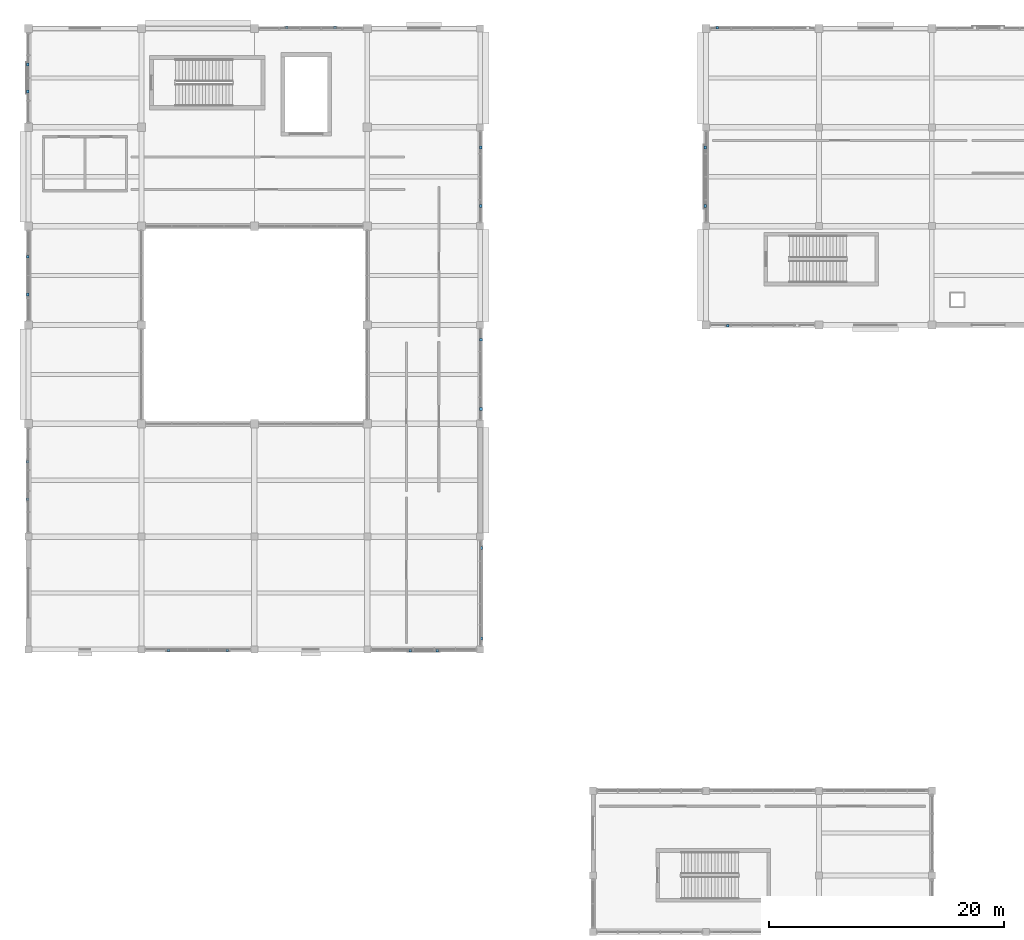
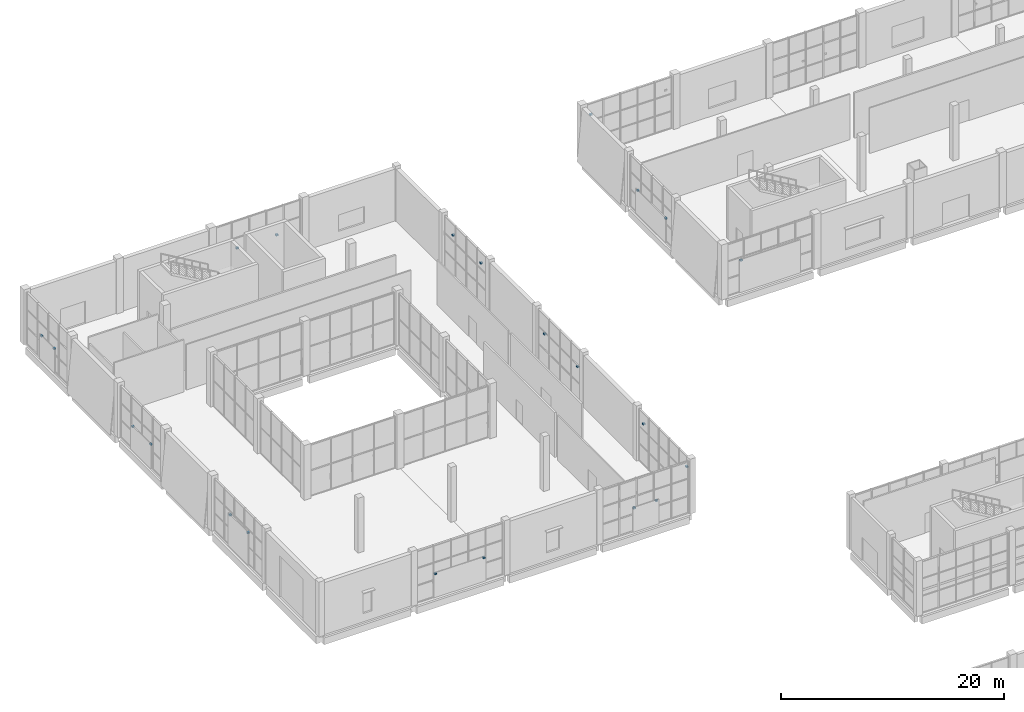
# One storey, part 66 of 84: 22 discrete accessories.
"""IFC4 building model written with IfcOpenShell, lengths in metres."""

import ifcopenshell
import ifcopenshell.guid

model = None  # the IFC model being written
_history = None  # IfcOwnerHistory: only IFC2X3 demands one
_inside = {}  # id of a spatial element -> (the spatial element, [elements in it])
_under = {}  # id of a project, library or spatial element -> (it, [spatial elements below it])
_declared = {}  # id of a project -> (the project, [libraries it declares])
_typed = {}  # id of a type object -> (the type object, [elements of that type])
_made_of = {}  # id of a material, layer set ... -> (it, [elements and type objects made of it])


def new_model(schema):
    """Start an empty IFC model of exactly this schema.

    Asked for "IFC4X3", IfcOpenShell would pick the latest addendum, in which some entities
    have other attributes; the version numbers below select the first issue.
    IFC2X3 requires an IfcOwnerHistory on every rooted entity: one is made here for all.
    """
    global model, _history
    if schema == "IFC4X3":
        model = ifcopenshell.file(schema_version=(4, 3, 0, 0))
    else:
        model = ifcopenshell.file(schema=schema)
    _inside.clear()
    _under.clear()
    _declared.clear()
    _typed.clear()
    _made_of.clear()
    _history = None
    if model.schema == "IFC2X3":
        org = make("IfcOrganization", Name="unknown")
        user = make(
            "IfcPersonAndOrganization",
            ThePerson=make("IfcPerson", FamilyName="unknown"),
            TheOrganization=org,
        )
        app = make(
            "IfcApplication",
            ApplicationDeveloper=org,
            Version="unknown",
            ApplicationFullName="unknown",
            ApplicationIdentifier="unknown",
        )
        _history = make(
            "IfcOwnerHistory",
            OwningUser=user,
            OwningApplication=app,
            ChangeAction="ADDED",
            CreationDate=0,
        )
    return model


def make(cls, **values):
    """One entity of the class cls with the attributes given. An attribute that is None is left unset."""
    return model.create_entity(
        cls, **{name: value for name, value in values.items() if value is not None}
    )


def rooted(cls, **values):
    """An entity with a GlobalId (a new one), such as an element, a storey or a relation."""
    return make(cls, GlobalId=ifcopenshell.guid.new(), OwnerHistory=_history, **values)


def si_unit(unit_type, name, prefix=None):
    """IfcSIUnit, for example si_unit("LENGTHUNIT", "METRE", prefix="MILLI")."""
    return make("IfcSIUnit", UnitType=unit_type, Prefix=prefix, Name=name)


def assignment(units):
    """IfcUnitAssignment: the units of a project."""
    return None if units is None else make("IfcUnitAssignment", Units=units)


def point(xyz):
    """IfcCartesianPoint."""
    return None if xyz is None else make("IfcCartesianPoint", Coordinates=xyz)


def direction(xyz):
    """IfcDirection."""
    return None if xyz is None else make("IfcDirection", DirectionRatios=xyz)


def frame(location, z_axis=None, x_axis=None):
    """IfcAxis2Placement3D, a coordinate frame: its origin and axes. An axis left out is left unset."""
    return make(
        "IfcAxis2Placement3D",
        Location=point(location),
        Axis=direction(z_axis),
        RefDirection=direction(x_axis),
    )


def frame_2d(location, x_axis=None):
    """IfcAxis2Placement2D, a coordinate frame in the plane: its origin and x axis."""
    return make(
        "IfcAxis2Placement2D", Location=point(location), RefDirection=direction(x_axis)
    )


def origin():
    """The frame at (0, 0, 0) with its axes left unset."""
    return frame((0.0, 0.0, 0.0))


def origin_2d():
    """The frame at (0, 0) in the plane with its x axis left unset."""
    return frame_2d((0.0, 0.0))


def place(relative_to, where):
    """IfcLocalPlacement: puts the frame where relative to a parent placement (None: the world)."""
    return make(
        "IfcLocalPlacement", PlacementRelTo=relative_to, RelativePlacement=where
    )


def context(
    kind, dimensions, precision=None, world=None, true_north=None, identifier=None
):
    """IfcGeometricRepresentationContext, for example the 3D "Model" context."""
    return make(
        "IfcGeometricRepresentationContext",
        ContextIdentifier=identifier,
        ContextType=kind,
        CoordinateSpaceDimension=dimensions,
        Precision=precision,
        WorldCoordinateSystem=world,
        TrueNorth=true_north,
    )


def subcontext(parent, identifier, kind, view, scale=None):
    """IfcGeometricRepresentationSubContext, for example "Body" below "Model"."""
    return make(
        "IfcGeometricRepresentationSubContext",
        ContextIdentifier=identifier,
        ContextType=kind,
        ParentContext=parent,
        TargetScale=scale,
        TargetView=view,
    )


def project(units=None, contexts=None):
    """IfcProject with its units and contexts."""
    return rooted(
        "IfcProject",
        Name="project",
        RepresentationContexts=contexts,
        UnitsInContext=assignment(units),
    )


def spatial(cls, under=None, at=None, **own):
    """A site, building, storey or space (cls), placed at a placement, below another one or the project."""
    s = rooted(cls, ObjectPlacement=at, **own)
    if under is not None:
        _under.setdefault(under.id(), (under, []))[1].append(s)
    return s


def profile(cls, at=None, kind="AREA", **sizes):
    """A parametric profile (cls). Its sizes go by their IFC names, for example OverallWidth=200.0."""
    return make(cls, ProfileType=kind, Position=at, **sizes)


def rectangle(**sizes):
    """IfcRectangleProfileDef."""
    return profile("IfcRectangleProfileDef", **sizes)


def extrude(swept, where, along, depth):
    """IfcExtrudedAreaSolid: the profile swept, set in the frame where, extruded along a direction by depth."""
    return make(
        "IfcExtrudedAreaSolid",
        SweptArea=swept,
        Position=where,
        ExtrudedDirection=direction(along),
        Depth=depth,
    )


def shape(context_of_items, identifier, shape_type, items):
    """IfcShapeRepresentation: the items that make up one representation, for example the "Body"."""
    return make(
        "IfcShapeRepresentation",
        ContextOfItems=context_of_items,
        RepresentationIdentifier=identifier,
        RepresentationType=shape_type,
        Items=items,
    )


def material(Name=None, Category=None):
    """IfcMaterial."""
    return make("IfcMaterial", Name=Name, Category=Category)


def made_of(thing, what):
    """Note that an element or type object is made of a material, layer set ...; save() writes the relation."""
    if what is not None:
        _made_of.setdefault(what.id(), (what, []))[1].append(thing)
    return thing


def type_object(cls, material=None, **own):
    """A type object (cls), such as IfcWallType, which elements share."""
    return made_of(rooted(cls, **own), material)


def element(
    cls,
    number,
    at=None,
    inside=None,
    cuts=None,
    type_object=None,
    material=None,
    context=None,
    identifier="Body",
    shape_type=None,
    held_by="IfcProductDefinitionShape",
    body=None,
    shapes=None,
    **own,
):
    """One element of the class cls, such as IfcWall. Its Tag is "e" and its number.

    at: its placement. inside: the storey or other place that contains it. cuts: it is an
    opening in that element (IfcRelVoidsElement). A single representation is given by context,
    identifier, shape_type and body (its items); several are given by shapes. held_by: the class
    of the entity that holds the representations. save() writes the other relations.
    """
    e = rooted(cls, Tag="e%d" % number, ObjectPlacement=at, **own)
    if body is not None:
        shapes = [shape(context, identifier, shape_type, body)]
    if shapes is not None:
        e.Representation = make(held_by, Representations=shapes)
    if inside is not None:
        _inside.setdefault(inside.id(), (inside, []))[1].append(e)
    if cuts is not None:
        rooted(
            "IfcRelVoidsElement", RelatingBuildingElement=cuts, RelatedOpeningElement=e
        )
    if type_object is not None:
        _typed.setdefault(type_object.id(), (type_object, []))[1].append(e)
    return made_of(e, material)


def aggregate(whole, parts):
    """IfcRelAggregates: a whole, such as a stair, and the parts it consists of."""
    return rooted("IfcRelAggregates", RelatingObject=whole, RelatedObjects=parts)


def save(model, path):
    """Write the relations noted so far, then the file.

    IfcRelAggregates (storeys below a building ...), IfcRelContainedInSpatialStructure (elements
    in a storey), IfcRelDefinesByType, IfcRelAssociatesMaterial and IfcRelDeclares: one each for
    every whole, place, type object, material and project.
    """
    for whole, parts in _under.values():
        aggregate(whole, parts)
    for where, things in _inside.values():
        rooted(
            "IfcRelContainedInSpatialStructure",
            RelatedElements=things,
            RelatingStructure=where,
        )
    for kind, things in _typed.values():
        rooted("IfcRelDefinesByType", RelatedObjects=things, RelatingType=kind)
    for what, things in _made_of.values():
        rooted("IfcRelAssociatesMaterial", RelatedObjects=things, RelatingMaterial=what)
    for by, libraries in _declared.values():
        rooted("IfcRelDeclares", RelatingContext=by, RelatedDefinitions=libraries)
    model.write(path)


model = new_model("IFC4")

# Units and contexts
model_context = context("Model", 3, precision=1e-05, world=origin(), true_north=direction((0.0, 1.0)))
body_context = subcontext(model_context, "Body", "Model", "MODEL_VIEW")
ifc_project = project(units=[si_unit("LENGTHUNIT", "METRE"), si_unit("AREAUNIT", "SQUARE_METRE"), si_unit("VOLUMEUNIT", "CUBIC_METRE"), si_unit("PLANEANGLEUNIT", "RADIAN"), si_unit("MASSUNIT", "GRAM", prefix="KILO")], contexts=[model_context])

# Site, building, storey
site_placement = place(None, origin())
site = spatial("IfcSite", under=ifc_project, at=site_placement, CompositionType="ELEMENT")
building_placement = place(site_placement, origin())
building = spatial("IfcBuilding", under=site, at=building_placement, Name="Shalvenor Court Art Gallery", CompositionType="ELEMENT")
storey_placement = place(building_placement, origin())
storey = spatial("IfcBuildingStorey", under=building, at=storey_placement, Name="L00", CompositionType="ELEMENT", Elevation=0.0)

# Discrete accessories
ifc_material = material(Name="Stainless steel anchor bracket", Category="steel")
discrete_accessory_type = type_object("IfcDiscreteAccessoryType", Name="BRK-01", PredefinedType="BRACKET", material=ifc_material)
for number, where, z_axis, x_axis, name in (
    (1, (58.550048828125, 122.472900390625, 4.27001953125), (0.0, 0.0, 1.0), (1.0, 0.0, 0.0), "L00 Lattice Anchor Bracket 79"),
    (2, (59.449951171875, 97.133544921875, 3.3701171875), (0.0, 0.0, 1.0), (-1.0, 0.0, 0.0), "L00 Lattice Anchor Bracket 94"),
    (3, (57.52978515625, 107.300048828125, 2.47021484375), (0.0, 0.0, 1.0), (0.0, 1.0, 0.0), "L00 Lattice Anchor Bracket 95"),
    (4, (57.52978515625, 112.300048828125, 2.47021484375), (0.0, 0.0, 1.0), (0.0, 1.0, 0.0), "L00 Lattice Anchor Bracket 96"),
    (5, (21.949951171875, 122.4765625, 2.47021484375), (0.0, 0.0, 1.0), (1.0, 0.0, 0.0), "L00 Lattice Anchor Bracket 269"),
    (6, (26.050048828125, 122.4765625, 2.47021484375), (0.0, 0.0, 1.0), (1.0, 0.0, 0.0), "L00 Lattice Anchor Bracket 270"),
    (7, (38.45654296875, 112.300048828125, 4.27001953125), (0.0, 0.0, 1.0), (0.0, -1.0, 0.0), "L00 Lattice Anchor Bracket 271"),
    (8, (38.45654296875, 107.300048828125, 4.27001953125), (0.0, 0.0, 1.0), (0.0, -1.0, 0.0), "L00 Lattice Anchor Bracket 272"),
    (9, (38.466552734375, 95.949951171875, 3.3701171875), (0.0, 0.0, 1.0), (0.0, -1.0, 0.0), "L00 Lattice Anchor Bracket 273"),
    (10, (38.466552734375, 90.050048828125, 3.3701171875), (0.0, 0.0, 1.0), (0.0, -1.0, 0.0), "L00 Lattice Anchor Bracket 274"),
    (11, (38.47265625, 78.25, 4.27001953125), (0.0, 0.0, 1.0), (0.0, -1.0, 0.0), "L00 Lattice Anchor Bracket 275"),
    (12, (38.47265625, 70.550048828125, 4.27001953125), (0.0, 0.0, 1.0), (0.0, -1.0, 0.0), "L00 Lattice Anchor Bracket 276"),
    (13, (34.75, 69.524658203125, 2.47021484375), (0.0, 0.0, 1.0), (-1.0, 0.0, 0.0), "L00 Lattice Anchor Bracket 277"),
    (14, (32.449951171875, 69.524658203125, 2.47021484375), (0.0, 0.0, 1.0), (-1.0, 0.0, 0.0), "L00 Lattice Anchor Bracket 278"),
    (15, (16.89990234375, 69.544677734375, 2.47021484375), (0.0, 0.0, 1.0), (-1.0, 0.0, 0.0), "L00 Lattice Anchor Bracket 279"),
    (16, (11.89990234375, 69.544677734375, 2.47021484375), (0.0, 0.0, 1.0), (-1.0, 0.0, 0.0), "L00 Lattice Anchor Bracket 280"),
    (17, (-0.06640625, 82.375, 3.3701171875), (0.0, 0.0, 1.0), (0.0, 1.0, 0.0), "L00 Lattice Anchor Bracket 281"),
    (18, (-0.06640625, 85.574951171875, 3.3701171875), (0.0, 0.0, 1.0), (0.0, 1.0, 0.0), "L00 Lattice Anchor Bracket 282"),
    (19, (-0.071533203125, 99.800048828125, 2.47021484375), (0.0, 0.0, 1.0), (0.0, 1.0, 0.0), "L00 Lattice Anchor Bracket 283"),
    (20, (-0.071533203125, 103.0, 2.47021484375), (0.0, 0.0, 1.0), (0.0, 1.0, 0.0), "L00 Lattice Anchor Bracket 284"),
    (21, (-0.0751953125, 117.050048828125, 2.47021484375), (0.0, 0.0, 1.0), (0.0, 1.0, 0.0), "L00 Lattice Anchor Bracket 285"),
    (22, (-0.0751953125, 119.35009765625, 2.47021484375), (0.0, 0.0, 1.0), (0.0, 1.0, 0.0), "L00 Lattice Anchor Bracket 286"),
):
    element("IfcDiscreteAccessory", number, at=place(storey_placement, frame(where, z_axis=z_axis, x_axis=x_axis)), inside=storey, type_object=discrete_accessory_type, Name=name, PredefinedType="BRACKET", context=body_context, shape_type="SweptSolid", body=[
        extrude(rectangle(XDim=0.239990234375, YDim=0.219970703125, at=origin_2d()), origin(), (0.0, 0.0, 1.0), 0.159912109375),
    ])

save(model, "model.ifc")
